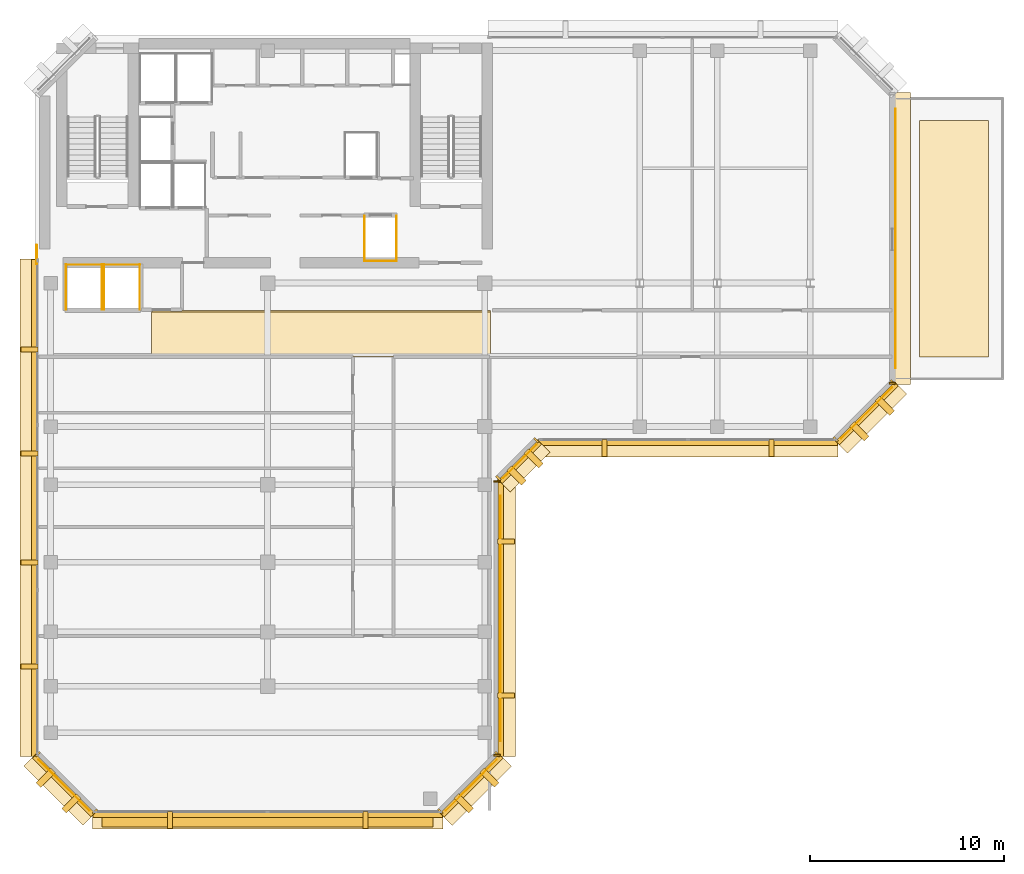
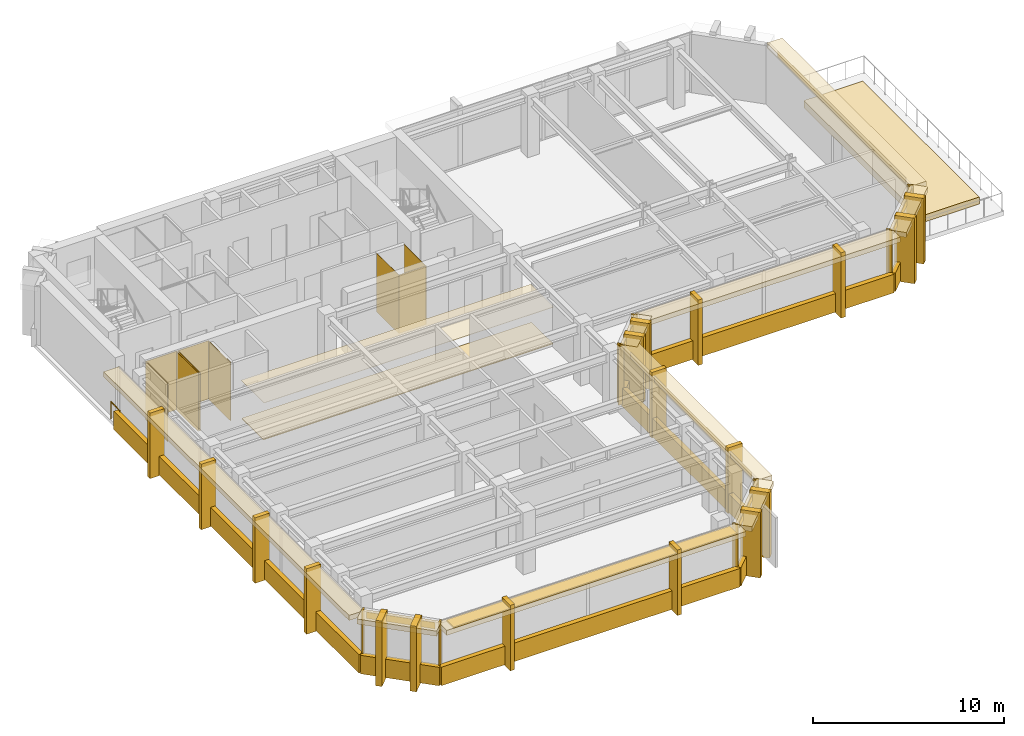
# One storey, part 8 of 11: 64 coverings, 1 railing, 1 shading device.
"""IFC4 building model written with IfcOpenShell, lengths in metres."""

from ifc_helpers import new_model, si_unit, direction, frame, origin, origin_2d, place, context, subcontext, project, spatial, polyline, rectangle, circle, outline, extrude, material, layer, layer_set, type_object, element, save


model = new_model("IFC4")

# Units and contexts
model_context = context("Model", 3, precision=1e-05, world=origin(), true_north=direction((0.0, 1.0)))
body_context = subcontext(model_context, "Body", "Model", "MODEL_VIEW")
ifc_project = project(units=[si_unit("LENGTHUNIT", "METRE"), si_unit("AREAUNIT", "SQUARE_METRE"), si_unit("VOLUMEUNIT", "CUBIC_METRE"), si_unit("PLANEANGLEUNIT", "RADIAN"), si_unit("MASSUNIT", "GRAM", prefix="KILO")], contexts=[model_context])

# Site, building, storey
site_placement = place(None, origin())
site = spatial("IfcSite", under=ifc_project, at=site_placement, CompositionType="ELEMENT")
building_placement = place(site_placement, origin())
building = spatial("IfcBuilding", under=site, at=building_placement, Name="Kefirva Bronze Tower", CompositionType="ELEMENT")
storey_placement = place(building_placement, frame((0.0, 0.0, 272.25)))
storey = spatial("IfcBuildingStorey", under=building, at=storey_placement, Name="L66", CompositionType="ELEMENT", Elevation=272.25)

# Coverings
ifc_material_1 = material(Name="Acoustic mineral tile")
ifc_layer_1 = layer(ifc_material_1, 0.02490234375, Name="Acoustic mineral tile")
ifc_layer_set_1 = layer_set([ifc_layer_1], Name="Acoustic mineral tile")
covering_type_1 = type_object("IfcCoveringType", Name="Acoustic Mineral Suspended Ceiling 25mm", PredefinedType="CEILING", material=ifc_layer_set_1)
covering_1_placement = place(storey_placement, frame((0.0, 0.0, 2.39990234375)))
element("IfcCovering", 1, at=covering_1_placement, inside=storey, type_object=covering_type_1, Name="L66 Corridor Acoustic Ceiling", PredefinedType="CEILING", context=body_context, shape_type="SweptSolid", body=[
    extrude(outline(polyline([(6.0, 29.39990234375), (23.5, 29.39990234375), (23.5, 31.800048828125), (6.0, 31.800048828125), (6.0, 29.39990234375)])), origin(), (0.0, 0.0, 1.0), 0.025146484375),
])
ifc_material_2 = material(Name="Bronze anodised aluminium", Category="aluminium")
ifc_layer_2 = layer(ifc_material_2, 0.02001953125, Name="Bronze anodised aluminium")
ifc_layer_set_2 = layer_set([ifc_layer_2], Name="Bronze anodised aluminium")
covering_type_2 = type_object("IfcCoveringType", Name="Anodised Bronze Spandrel Cladding 20mm", PredefinedType="CLADDING", material=ifc_layer_set_2)
covering_2_placement = place(storey_placement, frame((12.0, 5.760009765625, -0.16015625), z_axis=(0.0, 0.0, 1.0), x_axis=(1.0, 0.0, 0.0)))
element("IfcCovering", 2, at=covering_2_placement, inside=storey, type_object=covering_type_2, Name="L66 Streamline Horizontal Spandrel Band 0", PredefinedType="CLADDING", context=body_context, shape_type="SweptSolid", body=[
    extrude(rectangle(XDim=18.0400390625, YDim=0.280029296875, at=origin_2d()), origin(), (0.0, 0.0, 1.0), 1.179931640625),
])
covering_3_placement = place(storey_placement, frame((22.507080078125, 7.29296875, 3.320068359375), z_axis=(0.0, 0.0, 1.0), x_axis=(0.707106781187, 0.707106781187, 0.0)))
element("IfcCovering", 3, at=covering_3_placement, inside=storey, type_object=covering_type_2, Name="L66 Bronze Spandrel Cladding 1", PredefinedType="CLADDING", context=body_context, shape_type="SweptSolid", body=[
    extrude(rectangle(XDim=3.719482421875, YDim=0.02001953125, at=origin_2d()), origin(), (0.0, 0.0, 1.0), 0.39990234375),
])
for number, where, z_axis, x_axis, name in (
    (4, (20.91162109375, 5.93798828125, 0.0), (0.0, 0.0, 1.0), (0.707106781187, 0.707106781187, 0.0), "L66 Facade Joint Closure Panel 1S"),
    (5, (23.862060546875, 8.88818359375, 0.0), (0.0, 0.0, 1.0), (0.707106781187, 0.707106781187, 0.0), "L66 Facade Joint Closure Panel 1E"),
):
    element("IfcCovering", number, at=place(storey_placement, frame(where, z_axis=z_axis, x_axis=x_axis)), inside=storey, type_object=covering_type_2, Name=name, PredefinedType="CLADDING", context=body_context, shape_type="SweptSolid", body=[
        extrude(rectangle(XDim=0.10009765625, YDim=0.320068359375, at=origin_2d()), origin(), (0.0, 0.0, 1.0), 3.739990234375),
    ])
covering_4_placement = place(storey_placement, frame((22.5283203125, 7.271728515625, -0.16015625), z_axis=(0.0, 0.0, 1.0), x_axis=(0.707106781187, 0.707106781187, 0.0)))
element("IfcCovering", 6, at=covering_4_placement, inside=storey, type_object=covering_type_2, Name="L66 Streamline Horizontal Spandrel Band 1", PredefinedType="CLADDING", context=body_context, shape_type="SweptSolid", body=[
    extrude(rectangle(XDim=4.28271484375, YDim=0.280029296875, at=origin_2d()), origin(), (0.0, 0.0, 1.0), 1.179931640625),
])
covering_5_placement = place(storey_placement, frame((24.010009765625, 15.89990234375, 3.320068359375), z_axis=(0.0, 0.0, 1.0), x_axis=(0.0, 1.0, 0.0)))
element("IfcCovering", 7, at=covering_5_placement, inside=storey, type_object=covering_type_2, Name="L66 Bronze Spandrel Cladding 2", PredefinedType="CLADDING", context=body_context, shape_type="SweptSolid", body=[
    extrude(rectangle(XDim=12.680908203125, YDim=0.02001953125, at=origin_2d()), origin(), (0.0, 0.0, 1.0), 0.39990234375),
])
for number, where, z_axis, x_axis, name in (
    (8, (23.840087890625, 8.8349609375, 0.0), (0.0, 0.0, 1.0), (0.0, 1.0, 0.0), "L66 Facade Joint Closure Panel 2S"),
    (9, (23.840087890625, 22.965087890625, 0.0), (0.0, 0.0, 1.0), (0.0, 1.0, 0.0), "L66 Facade Joint Closure Panel 2E"),
):
    element("IfcCovering", number, at=place(storey_placement, frame(where, z_axis=z_axis, x_axis=x_axis)), inside=storey, type_object=covering_type_2, Name=name, PredefinedType="CLADDING", context=body_context, shape_type="SweptSolid", body=[
        extrude(rectangle(XDim=0.10009765625, YDim=0.320068359375, at=origin_2d()), origin(), (0.0, 0.0, 1.0), 3.739990234375),
    ])
covering_6_placement = place(storey_placement, frame((24.0400390625, 15.89990234375, -0.16015625), z_axis=(0.0, 0.0, 1.0), x_axis=(0.0, 1.0, 0.0)))
element("IfcCovering", 10, at=covering_6_placement, inside=storey, type_object=covering_type_2, Name="L66 Streamline Horizontal Spandrel Band 2", PredefinedType="CLADDING", context=body_context, shape_type="SweptSolid", body=[
    extrude(rectangle(XDim=14.239990234375, YDim=0.280029296875, at=origin_2d()), origin(), (0.0, 0.0, 1.0), 1.179931640625),
])
covering_7_placement = place(storey_placement, frame((25.007080078125, 23.992919921875, 3.320068359375), z_axis=(0.0, 0.0, 1.0), x_axis=(0.707106781187, 0.707106781187, 0.0)))
element("IfcCovering", 11, at=covering_7_placement, inside=storey, type_object=covering_type_2, Name="L66 Bronze Spandrel Cladding 3", PredefinedType="CLADDING", context=body_context, shape_type="SweptSolid", body=[
    extrude(rectangle(XDim=2.446533203125, YDim=0.02001953125, at=origin_2d()), origin(), (0.0, 0.0, 1.0), 0.39990234375),
])
for number, where, z_axis, x_axis, name in (
    (12, (23.91162109375, 23.137939453125, 0.0), (0.0, 0.0, 1.0), (0.707106781187, 0.707106781187, 0.0), "L66 Facade Joint Closure Panel 3S"),
    (13, (25.862060546875, 25.08837890625, 0.0), (0.0, 0.0, 1.0), (0.707106781187, 0.707106781187, 0.0), "L66 Facade Joint Closure Panel 3E"),
):
    element("IfcCovering", number, at=place(storey_placement, frame(where, z_axis=z_axis, x_axis=x_axis)), inside=storey, type_object=covering_type_2, Name=name, PredefinedType="CLADDING", context=body_context, shape_type="SweptSolid", body=[
        extrude(rectangle(XDim=0.10009765625, YDim=0.320068359375, at=origin_2d()), origin(), (0.0, 0.0, 1.0), 3.739990234375),
    ])
covering_8_placement = place(storey_placement, frame((25.0283203125, 23.9716796875, -0.16015625), z_axis=(0.0, 0.0, 1.0), x_axis=(0.707106781187, 0.707106781187, 0.0)))
element("IfcCovering", 14, at=covering_8_placement, inside=storey, type_object=covering_type_2, Name="L66 Streamline Horizontal Spandrel Band 3", PredefinedType="CLADDING", context=body_context, shape_type="SweptSolid", body=[
    extrude(rectangle(XDim=2.868408203125, YDim=0.280029296875, at=origin_2d()), origin(), (0.0, 0.0, 1.0), 1.179931640625),
])
covering_9_placement = place(storey_placement, frame((33.699951171875, 24.9599609375, -0.16015625), z_axis=(0.0, 0.0, 1.0), x_axis=(1.0, 0.0, 0.0)))
element("IfcCovering", 15, at=covering_9_placement, inside=storey, type_object=covering_type_2, Name="L66 Streamline Horizontal Spandrel Band 4", PredefinedType="CLADDING", context=body_context, shape_type="SweptSolid", body=[
    extrude(rectangle(XDim=15.43994140625, YDim=0.280029296875, at=origin_2d()), origin(), (0.0, 0.0, 1.0), 1.179931640625),
])
covering_10_placement = place(storey_placement, frame((42.906982421875, 26.492919921875, 3.320068359375), z_axis=(0.0, 0.0, 1.0), x_axis=(0.707106781187, 0.707106781187, 0.0)))
element("IfcCovering", 16, at=covering_10_placement, inside=storey, type_object=covering_type_2, Name="L66 Bronze Spandrel Cladding 4", PredefinedType="CLADDING", context=body_context, shape_type="SweptSolid", body=[
    extrude(rectangle(XDim=3.719482421875, YDim=0.02001953125, at=origin_2d()), origin(), (0.0, 0.0, 1.0), 0.39990234375),
])
for number, where, z_axis, x_axis, name in (
    (17, (41.311767578125, 25.137939453125, 0.0), (0.0, 0.0, 1.0), (0.707106781187, 0.707106781187, 0.0), "L66 Facade Joint Closure Panel 4S"),
    (18, (44.26220703125, 28.08837890625, 0.0), (0.0, 0.0, 1.0), (0.707106781187, 0.707106781187, 0.0), "L66 Facade Joint Closure Panel 4E"),
):
    element("IfcCovering", number, at=place(storey_placement, frame(where, z_axis=z_axis, x_axis=x_axis)), inside=storey, type_object=covering_type_2, Name=name, PredefinedType="CLADDING", context=body_context, shape_type="SweptSolid", body=[
        extrude(rectangle(XDim=0.10009765625, YDim=0.320068359375, at=origin_2d()), origin(), (0.0, 0.0, 1.0), 3.739990234375),
    ])
covering_11_placement = place(storey_placement, frame((42.92822265625, 26.4716796875, -0.16015625), z_axis=(0.0, 0.0, 1.0), x_axis=(0.707106781187, 0.707106781187, 0.0)))
element("IfcCovering", 19, at=covering_11_placement, inside=storey, type_object=covering_type_2, Name="L66 Streamline Horizontal Spandrel Band 5", PredefinedType="CLADDING", context=body_context, shape_type="SweptSolid", body=[
    extrude(rectangle(XDim=4.28271484375, YDim=0.280029296875, at=origin_2d()), origin(), (0.0, 0.0, 1.0), 1.179931640625),
])
covering_12_placement = place(storey_placement, frame((44.409912109375, 35.5, 3.320068359375), z_axis=(0.0, 0.0, 1.0), x_axis=(0.0, 1.0, 0.0)))
element("IfcCovering", 20, at=covering_12_placement, inside=storey, type_object=covering_type_2, Name="L66 Bronze Spandrel Cladding 5", PredefinedType="CLADDING", context=body_context, shape_type="SweptSolid", body=[
    extrude(rectangle(XDim=13.40087890625, YDim=0.02001953125, at=origin_2d()), origin(), (0.0, 0.0, 1.0), 0.39990234375),
])
covering_13_placement = place(storey_placement, frame((44.239990234375, 28.034912109375, 0.0), z_axis=(0.0, 0.0, 1.0), x_axis=(0.0, 1.0, 0.0)))
element("IfcCovering", 21, at=covering_13_placement, inside=storey, type_object=covering_type_2, Name="L66 Facade Joint Closure Panel 5S", PredefinedType="CLADDING", context=body_context, shape_type="SweptSolid", body=[
    extrude(rectangle(XDim=0.10009765625, YDim=0.320068359375, at=origin_2d()), origin(), (0.0, 0.0, 1.0), 3.739990234375),
])
covering_14_placement = place(storey_placement, frame((-0.0400390625, 21.597412109375, -0.16015625), z_axis=(0.0, 0.0, 1.0), x_axis=(0.0, -1.0, 0.0)))
element("IfcCovering", 22, at=covering_14_placement, inside=storey, type_object=covering_type_2, Name="L66 Streamline Horizontal Spandrel Band 10", PredefinedType="CLADDING", context=body_context, shape_type="SweptSolid", body=[
    extrude(rectangle(XDim=25.635009765625, YDim=0.280029296875, at=origin_2d()), origin(), (0.0, 0.0, 1.0), 1.179931640625),
])
covering_15_placement = place(storey_placement, frame((1.492919921875, 7.29296875, 3.320068359375), z_axis=(0.0, 0.0, 1.0), x_axis=(0.707106781187, -0.707106781187, 0.0)))
element("IfcCovering", 23, at=covering_15_placement, inside=storey, type_object=covering_type_2, Name="L66 Bronze Spandrel Cladding 8", PredefinedType="CLADDING", context=body_context, shape_type="SweptSolid", body=[
    extrude(rectangle(XDim=3.719482421875, YDim=0.02001953125, at=origin_2d()), origin(), (0.0, 0.0, 1.0), 0.39990234375),
])
for number, where, z_axis, x_axis, name in (
    (24, (0.137939453125, 8.88818359375, 0.0), (0.0, 0.0, 1.0), (0.707106781187, -0.707106781187, 0.0), "L66 Facade Joint Closure Panel 8S"),
    (25, (3.08837890625, 5.93798828125, 0.0), (0.0, 0.0, 1.0), (0.707106781187, -0.707106781187, 0.0), "L66 Facade Joint Closure Panel 8E"),
):
    element("IfcCovering", number, at=place(storey_placement, frame(where, z_axis=z_axis, x_axis=x_axis)), inside=storey, type_object=covering_type_2, Name=name, PredefinedType="CLADDING", context=body_context, shape_type="SweptSolid", body=[
        extrude(rectangle(XDim=0.10009765625, YDim=0.320068359375, at=origin_2d()), origin(), (0.0, 0.0, 1.0), 3.739990234375),
    ])
covering_16_placement = place(storey_placement, frame((1.4716796875, 7.271728515625, -0.16015625), z_axis=(0.0, 0.0, 1.0), x_axis=(0.707106781187, -0.707106781187, 0.0)))
element("IfcCovering", 26, at=covering_16_placement, inside=storey, type_object=covering_type_2, Name="L66 Streamline Horizontal Spandrel Band 11", PredefinedType="CLADDING", context=body_context, shape_type="SweptSolid", body=[
    extrude(rectangle(XDim=4.28271484375, YDim=0.280029296875, at=origin_2d()), origin(), (0.0, 0.0, 1.0), 1.179931640625),
])
covering_17_placement = place(storey_placement, origin())
element("IfcCovering", 27, at=covering_17_placement, inside=storey, type_object=covering_type_2, Name="L66 Lift OB1 Hoistway Liner N", PredefinedType="CLADDING", context=body_context, shape_type="SweptSolid", body=[
    extrude(outline(polyline([(1.580078125, 34.139892578125), (3.469970703125, 34.139892578125), (3.469970703125, 34.159912109375), (1.580078125, 34.159912109375), (1.580078125, 34.139892578125)])), origin(), (0.0, 0.0, 1.0), 3.739990234375),
])
covering_18_placement = place(storey_placement, origin())
element("IfcCovering", 28, at=covering_18_placement, inside=storey, type_object=covering_type_2, Name="L66 Lift OB1 Hoistway Liner W", PredefinedType="CLADDING", context=body_context, shape_type="SweptSolid", body=[
    extrude(outline(polyline([(1.590087890625, 31.830078125), (1.610107421875, 31.830078125), (1.610107421875, 34.169921875), (1.590087890625, 34.169921875), (1.590087890625, 31.830078125)])), origin(), (0.0, 0.0, 1.0), 3.739990234375),
])
covering_19_placement = place(storey_placement, origin())
element("IfcCovering", 29, at=covering_19_placement, inside=storey, type_object=covering_type_2, Name="L66 Lift OB1 Hoistway Liner E", PredefinedType="CLADDING", context=body_context, shape_type="SweptSolid", body=[
    extrude(outline(polyline([(3.43994140625, 31.830078125), (3.4599609375, 31.830078125), (3.4599609375, 34.169921875), (3.43994140625, 34.169921875), (3.43994140625, 31.830078125)])), origin(), (0.0, 0.0, 1.0), 3.739990234375),
])
covering_20_placement = place(storey_placement, origin())
element("IfcCovering", 30, at=covering_20_placement, inside=storey, type_object=covering_type_2, Name="L66 Lift OB2 Hoistway Liner N", PredefinedType="CLADDING", context=body_context, shape_type="SweptSolid", body=[
    extrude(outline(polyline([(3.530029296875, 34.139892578125), (5.419921875, 34.139892578125), (5.419921875, 34.159912109375), (3.530029296875, 34.159912109375), (3.530029296875, 34.139892578125)])), origin(), (0.0, 0.0, 1.0), 3.739990234375),
])
covering_21_placement = place(storey_placement, origin())
element("IfcCovering", 31, at=covering_21_placement, inside=storey, type_object=covering_type_2, Name="L66 Lift OB2 Hoistway Liner W", PredefinedType="CLADDING", context=body_context, shape_type="SweptSolid", body=[
    extrude(outline(polyline([(3.5400390625, 31.830078125), (3.56005859375, 31.830078125), (3.56005859375, 34.169921875), (3.5400390625, 34.169921875), (3.5400390625, 31.830078125)])), origin(), (0.0, 0.0, 1.0), 3.739990234375),
])
covering_22_placement = place(storey_placement, origin())
element("IfcCovering", 32, at=covering_22_placement, inside=storey, type_object=covering_type_2, Name="L66 Lift OB2 Hoistway Liner E", PredefinedType="CLADDING", context=body_context, shape_type="SweptSolid", body=[
    extrude(outline(polyline([(5.389892578125, 31.830078125), (5.409912109375, 31.830078125), (5.409912109375, 34.169921875), (5.389892578125, 34.169921875), (5.389892578125, 31.830078125)])), origin(), (0.0, 0.0, 1.0), 3.739990234375),
])
covering_23_placement = place(storey_placement, origin())
element("IfcCovering", 33, at=covering_23_placement, inside=storey, type_object=covering_type_2, Name="L66 Lift HP1 Hoistway Liner S", PredefinedType="CLADDING", context=body_context, shape_type="SweptSolid", body=[
    extrude(outline(polyline([(16.97998046875, 34.340087890625), (18.669921875, 34.340087890625), (18.669921875, 34.360107421875), (16.97998046875, 34.360107421875), (16.97998046875, 34.340087890625)])), origin(), (0.0, 0.0, 1.0), 3.739990234375),
])
covering_24_placement = place(storey_placement, origin())
element("IfcCovering", 34, at=covering_24_placement, inside=storey, type_object=covering_type_2, Name="L66 Lift HP1 Hoistway Liner W", PredefinedType="CLADDING", context=body_context, shape_type="SweptSolid", body=[
    extrude(outline(polyline([(16.989990234375, 34.330078125), (17.010009765625, 34.330078125), (17.010009765625, 36.669921875), (16.989990234375, 36.669921875), (16.989990234375, 34.330078125)])), origin(), (0.0, 0.0, 1.0), 3.739990234375),
])
covering_25_placement = place(storey_placement, origin())
element("IfcCovering", 35, at=covering_25_placement, inside=storey, type_object=covering_type_2, Name="L66 Lift HP1 Hoistway Liner E", PredefinedType="CLADDING", context=body_context, shape_type="SweptSolid", body=[
    extrude(outline(polyline([(18.639892578125, 34.330078125), (18.659912109375, 34.330078125), (18.659912109375, 36.669921875), (18.639892578125, 36.669921875), (18.639892578125, 34.330078125)])), origin(), (0.0, 0.0, 1.0), 3.739990234375),
])

# Shading device
ifc_layer_3 = layer(ifc_material_2, 0.090087890625, Name="Bronze anodised aluminium")
ifc_layer_set_3 = layer_set([ifc_layer_3], Name="Bronze anodised aluminium")
shading_device_type = type_object("IfcShadingDeviceType", Name="Horizontal Bronze Sunshade Band 750mm", PredefinedType="JALOUSIE", material=ifc_layer_set_3)
shading_device_placement = place(storey_placement, frame((12.0, 5.5048828125, 3.634765625), z_axis=(0.0, 0.0, 1.0), x_axis=(1.0, 0.0, 0.0)))
element("IfcShadingDevice", 36, at=shading_device_placement, inside=storey, type_object=shading_device_type, Name="L66 Horizontal Bronze Sunshade Band 0", PredefinedType="JALOUSIE", context=body_context, shape_type="SweptSolid", body=[
    extrude(rectangle(XDim=17.090087890625, YDim=0.75, at=origin_2d()), origin(), (0.0, 0.0, 1.0), 0.090087890625),
])

# Railing
ifc_material_3 = material(Name="Stainless steel 316", Category="steel")
railing_type = type_object("IfcRailingType", Name="Interior Stair Guardrail 1100mm", PredefinedType="GUARDRAIL", material=ifc_material_3)
railing_placement = place(storey_placement, frame((0.080078125, 34.199951171875, 0.0)))
element("IfcRailing", 37, at=railing_placement, inside=storey, type_object=railing_type, Name="L66 West Core Junction Guardrail", PredefinedType="GUARDRAIL", context=body_context, shape_type="SweptSolid", body=[
    extrude(circle(Radius=0.02392578125, at=origin_2d()), frame((0.0, 0.0, 1.076171875), z_axis=(0.0, 1.0, 0.0), x_axis=(-1.0, 0.0, 0.0)), (0.0, 0.0, 1.0), 0.949951171875),
    extrude(circle(Radius=0.02099609375, at=origin_2d()), origin(), (0.0, 0.0, 1.0), 1.052001953125),
    extrude(circle(Radius=0.02099609375, at=origin_2d()), frame((0.0, 0.949951171875, 0.0)), (0.0, 0.0, 1.0), 1.052001953125),
])

# Coverings
ifc_material_4 = material(Name="Calcium sulphate access tile")
ifc_layer_4 = layer(ifc_material_4, 0.044921875, Name="Calcium sulphate access tile")
ifc_layer_set_4 = layer_set([ifc_layer_4], Name="Calcium sulphate access tile")
covering_type_3 = type_object("IfcCoveringType", Name="Raised Access Office Flooring 45mm", PredefinedType="FLOORING", material=ifc_layer_set_4)
covering_26_placement = place(storey_placement, origin())
element("IfcCovering", 38, at=covering_26_placement, inside=storey, type_object=covering_type_3, Name="L66 Architectural Finish Flooring", PredefinedType="FLOORING", context=body_context, shape_type="SweptSolid", body=[
    extrude(outline(polyline([(6.0, 29.47998046875), (23.5, 29.47998046875), (23.5, 31.719970703125), (6.0, 31.719970703125), (6.0, 29.47998046875)])), origin(), (0.0, 0.0, 1.0), 0.044921875),
])
ifc_material_5 = material(Name="Planted sky-garden soil substrate")
ifc_layer_5 = layer(ifc_material_5, 0.449951171875, Name="Planted sky-garden soil substrate")
ifc_layer_set_5 = layer_set([ifc_layer_5], Name="Planted sky-garden soil substrate")
covering_type_4 = type_object("IfcCoveringType", Name="Sky-Garden Planted Substrate Bed 450mm", PredefinedType="USERDEFINED", material=ifc_layer_set_5)
covering_27_placement = place(storey_placement, origin())
element("IfcCovering", 39, at=covering_27_placement, inside=storey, type_object=covering_type_4, Name="L66 Sky-Garden Planter Bed", ObjectType="PLANTER", PredefinedType="USERDEFINED", context=body_context, shape_type="SweptSolid", body=[
    extrude(outline(polyline([(45.64990234375, 29.39990234375), (49.199951171875, 29.39990234375), (49.199951171875, 41.60009765625), (45.64990234375, 41.60009765625), (45.64990234375, 29.39990234375)])), origin(), (0.0, 0.0, 1.0), 0.449951171875),
])
ifc_layer_6 = layer(ifc_material_2, 0.179931640625, Name="Bronze anodised aluminium")
ifc_layer_set_6 = layer_set([ifc_layer_6], Name="Bronze anodised aluminium")
covering_type_5 = type_object("IfcCoveringType", Name="Streamline Bronze Sunshade Eyebrow Cladding 180mm", PredefinedType="CLADDING", material=ifc_layer_set_6)
covering_28_placement = place(storey_placement, frame((12.0, 5.489990234375, 3.419921875), z_axis=(0.0, 0.0, 1.0), x_axis=(1.0, 0.0, 0.0)))
element("IfcCovering", 40, at=covering_28_placement, inside=storey, type_object=covering_type_5, Name="L66 Streamline Bronze Sunshade Eyebrow 0", PredefinedType="CLADDING", context=body_context, shape_type="SweptSolid", body=[
    extrude(rectangle(XDim=18.080078125, YDim=0.93994140625, at=origin_2d()), origin(), (0.0, 0.0, 1.0), 0.320068359375),
])
covering_29_placement = place(storey_placement, frame((22.71923828125, 7.080810546875, 3.419921875), z_axis=(0.0, 0.0, 1.0), x_axis=(0.707106781187, 0.707106781187, 0.0)))
element("IfcCovering", 41, at=covering_29_placement, inside=storey, type_object=covering_type_5, Name="L66 Streamline Bronze Sunshade Eyebrow 1", PredefinedType="CLADDING", context=body_context, shape_type="SweptSolid", body=[
    extrude(rectangle(XDim=4.322509765625, YDim=0.93994140625, at=origin_2d()), origin(), (0.0, 0.0, 1.0), 0.320068359375),
])
covering_30_placement = place(storey_placement, frame((24.31005859375, 15.89990234375, 3.419921875), z_axis=(0.0, 0.0, 1.0), x_axis=(0.0, 1.0, 0.0)))
element("IfcCovering", 42, at=covering_30_placement, inside=storey, type_object=covering_type_5, Name="L66 Streamline Bronze Sunshade Eyebrow 2", PredefinedType="CLADDING", context=body_context, shape_type="SweptSolid", body=[
    extrude(rectangle(XDim=14.280029296875, YDim=0.93994140625, at=origin_2d()), origin(), (0.0, 0.0, 1.0), 0.320068359375),
])
covering_31_placement = place(storey_placement, frame((25.21923828125, 23.78076171875, 3.419921875), z_axis=(0.0, 0.0, 1.0), x_axis=(0.707106781187, 0.707106781187, 0.0)))
element("IfcCovering", 43, at=covering_31_placement, inside=storey, type_object=covering_type_5, Name="L66 Streamline Bronze Sunshade Eyebrow 3", PredefinedType="CLADDING", context=body_context, shape_type="SweptSolid", body=[
    extrude(rectangle(XDim=2.908447265625, YDim=0.93994140625, at=origin_2d()), origin(), (0.0, 0.0, 1.0), 0.320068359375),
])
covering_32_placement = place(storey_placement, frame((33.699951171875, 24.68994140625, 3.419921875), z_axis=(0.0, 0.0, 1.0), x_axis=(1.0, 0.0, 0.0)))
element("IfcCovering", 44, at=covering_32_placement, inside=storey, type_object=covering_type_5, Name="L66 Streamline Bronze Sunshade Eyebrow 4", PredefinedType="CLADDING", context=body_context, shape_type="SweptSolid", body=[
    extrude(rectangle(XDim=15.47998046875, YDim=0.93994140625, at=origin_2d()), origin(), (0.0, 0.0, 1.0), 0.320068359375),
])
covering_33_placement = place(storey_placement, frame((43.119140625, 26.28076171875, 3.419921875), z_axis=(0.0, 0.0, 1.0), x_axis=(0.707106781187, 0.707106781187, 0.0)))
element("IfcCovering", 45, at=covering_33_placement, inside=storey, type_object=covering_type_5, Name="L66 Streamline Bronze Sunshade Eyebrow 5", PredefinedType="CLADDING", context=body_context, shape_type="SweptSolid", body=[
    extrude(rectangle(XDim=4.322509765625, YDim=0.93994140625, at=origin_2d()), origin(), (0.0, 0.0, 1.0), 0.320068359375),
])
covering_34_placement = place(storey_placement, frame((44.7099609375, 35.5, 3.419921875), z_axis=(0.0, 0.0, 1.0), x_axis=(0.0, 1.0, 0.0)))
element("IfcCovering", 46, at=covering_34_placement, inside=storey, type_object=covering_type_5, Name="L66 Streamline Bronze Sunshade Eyebrow 6", PredefinedType="CLADDING", context=body_context, shape_type="SweptSolid", body=[
    extrude(rectangle(XDim=15.080078125, YDim=0.93994140625, at=origin_2d()), origin(), (0.0, 0.0, 1.0), 0.320068359375),
])
covering_35_placement = place(storey_placement, frame((-0.31005859375, 21.597412109375, 3.419921875), z_axis=(0.0, 0.0, 1.0), x_axis=(0.0, -1.0, 0.0)))
element("IfcCovering", 47, at=covering_35_placement, inside=storey, type_object=covering_type_5, Name="L66 Streamline Bronze Sunshade Eyebrow 10", PredefinedType="CLADDING", context=body_context, shape_type="SweptSolid", body=[
    extrude(rectangle(XDim=25.675048828125, YDim=0.93994140625, at=origin_2d()), origin(), (0.0, 0.0, 1.0), 0.320068359375),
])
covering_36_placement = place(storey_placement, frame((1.28076171875, 7.080810546875, 3.419921875), z_axis=(0.0, 0.0, 1.0), x_axis=(0.707106781187, -0.707106781187, 0.0)))
element("IfcCovering", 48, at=covering_36_placement, inside=storey, type_object=covering_type_5, Name="L66 Streamline Bronze Sunshade Eyebrow 11", PredefinedType="CLADDING", context=body_context, shape_type="SweptSolid", body=[
    extrude(rectangle(XDim=4.322509765625, YDim=0.93994140625, at=origin_2d()), origin(), (0.0, 0.0, 1.0), 0.320068359375),
])
ifc_layer_7 = layer(ifc_material_2, 0.260009765625, Name="Bronze anodised aluminium")
ifc_layer_set_7 = layer_set([ifc_layer_7], Name="Bronze anodised aluminium")
covering_type_6 = type_object("IfcCoveringType", Name="Unbroken Bronze Buttress Fin Cladding 260mm", PredefinedType="CLADDING", material=ifc_layer_set_7)
for number, where, z_axis, x_axis, name in (
    (49, (6.9599609375, 5.5, -0.2197265625), (0.0, 0.0, 1.0), (1.0, 0.0, 0.0), "L66 Unbroken Vertical Bronze Rib Fin 1"),
    (50, (17.0400390625, 5.5, -0.2197265625), (0.0, 0.0, 1.0), (1.0, 0.0, 0.0), "L66 Unbroken Vertical Bronze Rib Fin 2"),
):
    element("IfcCovering", number, at=place(storey_placement, frame(where, z_axis=z_axis, x_axis=x_axis)), inside=storey, type_object=covering_type_6, Name=name, PredefinedType="CLADDING", context=body_context, shape_type="SweptSolid", body=[
        extrude(rectangle(XDim=0.260009765625, YDim=0.8798828125, at=origin_2d()), origin(), (0.0, 0.0, 1.0), 4.179931640625),
    ])
for number, where, z_axis, x_axis, name in (
    (51, (22.122802734375, 6.357177734375, -0.2197265625), (0.0, 0.0, 1.0), (0.707106781187, 0.707106781187, 0.0), "L66 Chamfered Corner Buttress Fin Cladding 3"),
    (52, (23.44287109375, 7.67724609375, -0.2197265625), (0.0, 0.0, 1.0), (0.707106781187, 0.707106781187, 0.0), "L66 Chamfered Corner Buttress Fin Cladding 4"),
):
    element("IfcCovering", number, at=place(storey_placement, frame(where, z_axis=z_axis, x_axis=x_axis)), inside=storey, type_object=covering_type_6, Name=name, PredefinedType="CLADDING", context=body_context, shape_type="SweptSolid", body=[
        extrude(rectangle(XDim=0.340087890625, YDim=1.080078125, at=origin_2d()), origin(), (0.0, 0.0, 1.0), 4.179931640625),
    ])
for number, where, z_axis, x_axis, name in (
    (53, (24.300048828125, 11.924072265625, -0.2197265625), (0.0, 0.0, 1.0), (0.0, 1.0, 0.0), "L66 Unbroken Vertical Bronze Rib Fin 5"),
    (54, (24.300048828125, 19.8759765625, -0.2197265625), (0.0, 0.0, 1.0), (0.0, 1.0, 0.0), "L66 Unbroken Vertical Bronze Rib Fin 6"),
):
    element("IfcCovering", number, at=place(storey_placement, frame(where, z_axis=z_axis, x_axis=x_axis)), inside=storey, type_object=covering_type_6, Name=name, PredefinedType="CLADDING", context=body_context, shape_type="SweptSolid", body=[
        extrude(rectangle(XDim=0.260009765625, YDim=0.8798828125, at=origin_2d()), origin(), (0.0, 0.0, 1.0), 4.179931640625),
    ])
for number, where, z_axis, x_axis, name in (
    (55, (24.8427734375, 23.277099609375, -0.2197265625), (0.0, 0.0, 1.0), (0.707106781187, 0.707106781187, 0.0), "L66 Chamfered Corner Buttress Fin Cladding 7"),
    (56, (25.722900390625, 24.1572265625, -0.2197265625), (0.0, 0.0, 1.0), (0.707106781187, 0.707106781187, 0.0), "L66 Chamfered Corner Buttress Fin Cladding 8"),
):
    element("IfcCovering", number, at=place(storey_placement, frame(where, z_axis=z_axis, x_axis=x_axis)), inside=storey, type_object=covering_type_6, Name=name, PredefinedType="CLADDING", context=body_context, shape_type="SweptSolid", body=[
        extrude(rectangle(XDim=0.340087890625, YDim=1.080078125, at=origin_2d()), origin(), (0.0, 0.0, 1.0), 4.179931640625),
    ])
for number, where, z_axis, x_axis, name in (
    (57, (29.387939453125, 24.699951171875, -0.2197265625), (0.0, 0.0, 1.0), (1.0, 0.0, 0.0), "L66 Unbroken Vertical Bronze Rib Fin 9"),
    (58, (38.011962890625, 24.699951171875, -0.2197265625), (0.0, 0.0, 1.0), (1.0, 0.0, 0.0), "L66 Unbroken Vertical Bronze Rib Fin 10"),
):
    element("IfcCovering", number, at=place(storey_placement, frame(where, z_axis=z_axis, x_axis=x_axis)), inside=storey, type_object=covering_type_6, Name=name, PredefinedType="CLADDING", context=body_context, shape_type="SweptSolid", body=[
        extrude(rectangle(XDim=0.260009765625, YDim=0.8798828125, at=origin_2d()), origin(), (0.0, 0.0, 1.0), 4.179931640625),
    ])
for number, where, z_axis, x_axis, name in (
    (59, (42.522705078125, 25.55712890625, -0.2197265625), (0.0, 0.0, 1.0), (0.707106781187, 0.707106781187, 0.0), "L66 Chamfered Corner Buttress Fin Cladding 11"),
    (60, (43.8427734375, 26.877197265625, -0.2197265625), (0.0, 0.0, 1.0), (0.707106781187, 0.707106781187, 0.0), "L66 Chamfered Corner Buttress Fin Cladding 12"),
):
    element("IfcCovering", number, at=place(storey_placement, frame(where, z_axis=z_axis, x_axis=x_axis)), inside=storey, type_object=covering_type_6, Name=name, PredefinedType="CLADDING", context=body_context, shape_type="SweptSolid", body=[
        extrude(rectangle(XDim=0.340087890625, YDim=1.080078125, at=origin_2d()), origin(), (0.0, 0.0, 1.0), 4.179931640625),
    ])
for number, where, z_axis, x_axis, name in (
    (61, (-0.300048828125, 29.787841796875, -0.2197265625), (0.0, 0.0, 1.0), (0.0, -1.0, 0.0), "L66 Unbroken Vertical Bronze Rib Fin 19"),
    (62, (-0.300048828125, 24.4130859375, -0.2197265625), (0.0, 0.0, 1.0), (0.0, -1.0, 0.0), "L66 Unbroken Vertical Bronze Rib Fin 20"),
    (63, (-0.300048828125, 18.781982421875, -0.2197265625), (0.0, 0.0, 1.0), (0.0, -1.0, 0.0), "L66 Unbroken Vertical Bronze Rib Fin 21"),
    (64, (-0.300048828125, 13.406982421875, -0.2197265625), (0.0, 0.0, 1.0), (0.0, -1.0, 0.0), "L66 Unbroken Vertical Bronze Rib Fin 22"),
):
    element("IfcCovering", number, at=place(storey_placement, frame(where, z_axis=z_axis, x_axis=x_axis)), inside=storey, type_object=covering_type_6, Name=name, PredefinedType="CLADDING", context=body_context, shape_type="SweptSolid", body=[
        extrude(rectangle(XDim=0.260009765625, YDim=0.8798828125, at=origin_2d()), origin(), (0.0, 0.0, 1.0), 4.179931640625),
    ])
for number, where, z_axis, x_axis, name in (
    (65, (0.55712890625, 7.67724609375, -0.2197265625), (0.0, 0.0, 1.0), (0.707106781187, -0.707106781187, 0.0), "L66 Chamfered Corner Buttress Fin Cladding 23"),
    (66, (1.877197265625, 6.357177734375, -0.2197265625), (0.0, 0.0, 1.0), (0.707106781187, -0.707106781187, 0.0), "L66 Chamfered Corner Buttress Fin Cladding 24"),
):
    element("IfcCovering", number, at=place(storey_placement, frame(where, z_axis=z_axis, x_axis=x_axis)), inside=storey, type_object=covering_type_6, Name=name, PredefinedType="CLADDING", context=body_context, shape_type="SweptSolid", body=[
        extrude(rectangle(XDim=0.340087890625, YDim=1.080078125, at=origin_2d()), origin(), (0.0, 0.0, 1.0), 4.179931640625),
    ])

save(model, "model.ifc")
